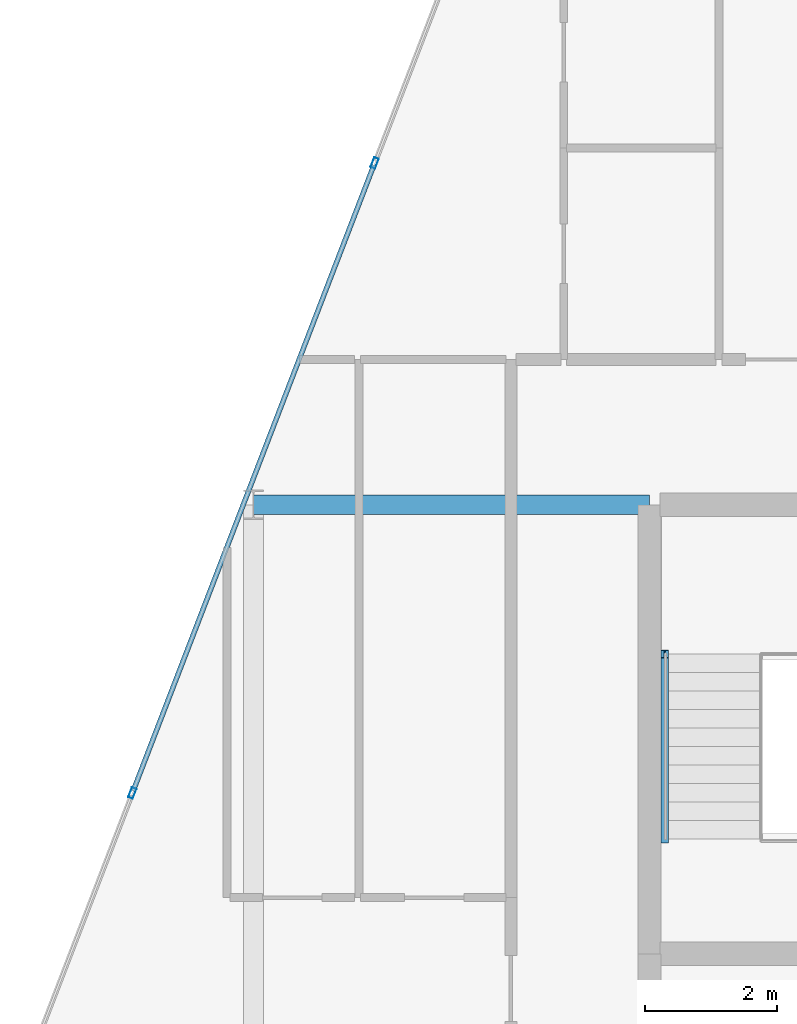
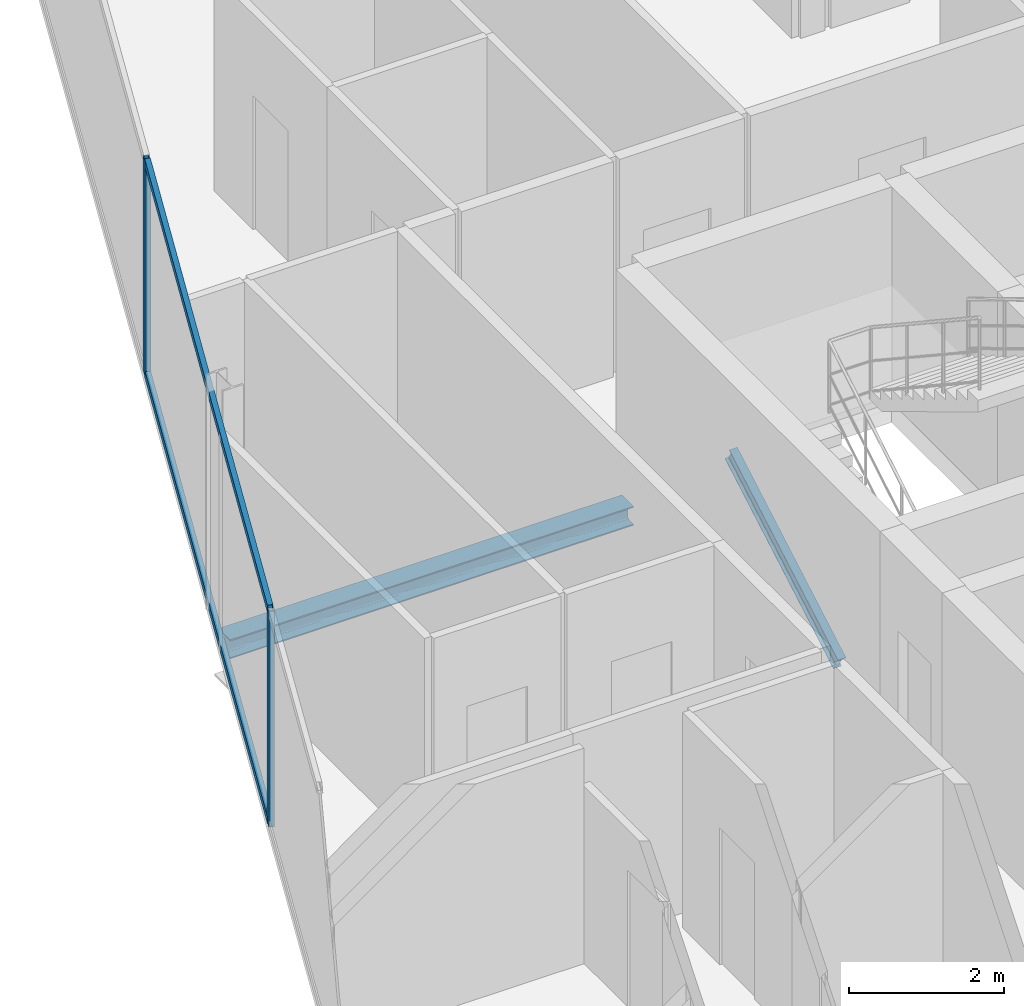
# One storey, part 16 of 29: 5 members, 1 beam, 1 element without a shape of its own.
"""IFC4 building model written with IfcOpenShell, lengths in metres."""

from ifc_helpers import new_model, si_unit, direction, frame, origin, origin_2d, place, context, subcontext, project, spatial, hollow_rectangle, i_section, extrude, material, layer, layer_set, material_profile, profile_set, type_object, element, aggregate, save


model = new_model("IFC4")

# Units and contexts
model_context = context("Model", 3, precision=1e-05, world=origin(), true_north=direction((0.0, 1.0)))
body_context = subcontext(model_context, "Body", "Model", "MODEL_VIEW")
ifc_project = project(units=[si_unit("LENGTHUNIT", "METRE"), si_unit("AREAUNIT", "SQUARE_METRE"), si_unit("VOLUMEUNIT", "CUBIC_METRE"), si_unit("PLANEANGLEUNIT", "RADIAN"), si_unit("MASSUNIT", "GRAM", prefix="KILO")], contexts=[model_context])

# Site, building, storey
site_placement = place(None, origin())
site = spatial("IfcSite", under=ifc_project, at=site_placement, CompositionType="ELEMENT")
building_placement = place(site_placement, origin())
building = spatial("IfcBuilding", under=site, at=building_placement, Name="Keshet Zoharim Tower", CompositionType="ELEMENT")
storey_placement = place(building_placement, frame((0.0, 0.0, 222.800048828125)))
storey = spatial("IfcBuildingStorey", under=building, at=storey_placement, Name="L55", CompositionType="ELEMENT", Elevation=222.800048828125)

# Beam
ifc_material_1 = material(Name="Steel S355", Category="steel")
ifc_material_profile_1 = material_profile(ifc_material_1, i_section(OverallWidth=0.300048828125, OverallDepth=0.300048828125, WebThickness=0.010986328125, FlangeThickness=0.01904296875, FilletRadius=0.027099609375, at=origin_2d()), Name="HEB300")
ifc_profile_set_1 = profile_set([ifc_material_profile_1], Name="Steel S355")
beam_type = type_object("IfcBeamType", Name="BM-PRI-HB300", PredefinedType="BEAM", material=ifc_profile_set_1)
beam_placement = place(storey_placement, frame((9.0, 37.89990234375, -0.4599609375), z_axis=(1.0, 0.0, 0.0), x_axis=(0.0, 1.0, 0.0)))
element("IfcBeam", 1, at=beam_placement, inside=storey, type_object=beam_type, Name="L55 Primary Girder X-017", PredefinedType="BEAM", context=body_context, shape_type="SweptSolid", body=[
    extrude(i_section(OverallWidth=0.300048828125, OverallDepth=0.300048828125, WebThickness=0.010986328125, FlangeThickness=0.01904296875, FilletRadius=0.027099609375, at=origin_2d()), origin(), (0.0, 0.0, 1.0), 6.0),
])

# Curtain wall, members
ifc_material_2 = material(Name="Aluminium 6063-T6", Category="aluminium")
ifc_layer = layer(ifc_material_2, 0.139892578125)
ifc_layer_set = layer_set([ifc_layer], Name="Aluminium 6063-T6")
curtain_wall_type = type_object("IfcCurtainWallType", Name="CW-SYS-05", PredefinedType="NOTDEFINED", material=ifc_layer_set)
curtain_wall_placement = place(storey_placement, origin())
curtain_wall = element("IfcCurtainWall", 2, at=curtain_wall_placement, inside=storey, type_object=curtain_wall_type, Name="L55 Unitised Curtain Wall 13", PredefinedType="NOTDEFINED")
ifc_material_profile_2 = material_profile(ifc_material_2, hollow_rectangle(XDim=0.074951171875, YDim=0.159912109375, WallThickness=0.00390625, at=origin_2d()), Name="MUL-75x160")
ifc_profile_set_2 = profile_set([ifc_material_profile_2], Name="Aluminium 6063-T6")
member_type_1 = type_object("IfcMemberType", Name="CWM-M15", PredefinedType="MULLION", material=ifc_profile_set_2)
member_1_placement = place(storey_placement, frame((7.1669921875, 33.53466796875, 0.0), z_axis=(0.0, 0.0, 1.0), x_axis=(-0.933341404361, 0.358990003907, 0.0)))
member_1 = element("IfcMember", 3, at=member_1_placement, type_object=member_type_1, Name="CW-05 mullion 2", PredefinedType="MULLION", context=body_context, shape_type="SweptSolid", body=[
    extrude(hollow_rectangle(XDim=0.074951171875, YDim=0.159912109375, WallThickness=0.00390625, at=origin_2d()), origin(), (0.0, 0.0, 1.0), 3.389892578125),
])
member_2_placement = place(storey_placement, frame((10.8369140625, 43.076416015625, 0.0), z_axis=(0.0, 0.0, 1.0), x_axis=(-0.933341404361, 0.358990003907, 0.0)))
member_2 = element("IfcMember", 4, at=member_2_placement, type_object=member_type_1, Name="CW-05 mullion 3", PredefinedType="MULLION", context=body_context, shape_type="SweptSolid", body=[
    extrude(hollow_rectangle(XDim=0.074951171875, YDim=0.159912109375, WallThickness=0.00390625, at=origin_2d()), origin(), (0.0, 0.0, 1.0), 3.389892578125),
])
ifc_material_profile_3 = material_profile(ifc_material_2, hollow_rectangle(XDim=0.074951171875, YDim=0.1201171875, WallThickness=0.00390625, at=origin_2d()), Name="TRN-75x120")
ifc_profile_set_3 = profile_set([ifc_material_profile_3], Name="Aluminium 6063-T6")
member_type_2 = type_object("IfcMemberType", Name="CWT-T12", PredefinedType="USERDEFINED", material=ifc_profile_set_3)
member_3_placement = place(storey_placement, frame((7.179443359375, 33.5673828125, 0.034912109375), z_axis=(0.359003248899, 0.933336309848, 0.0), x_axis=(-0.933336309848, 0.359003248899, 0.0)))
member_3 = element("IfcMember", 5, at=member_3_placement, type_object=member_type_2, Name="CW-05 transom 2.1", ObjectType="TRANSOM", PredefinedType="USERDEFINED", context=body_context, shape_type="SweptSolid", body=[
    extrude(hollow_rectangle(XDim=0.074951171875, YDim=0.1201171875, WallThickness=0.00390625, at=origin_2d()), origin(), (0.0, 0.0, 1.0), 10.153076171875),
])
member_4_placement = place(storey_placement, frame((7.179443359375, 33.5673828125, 3.35498046875), z_axis=(0.359003248899, 0.933336309848, 0.0), x_axis=(-0.933336309848, 0.359003248899, 0.0)))
member_4 = element("IfcMember", 6, at=member_4_placement, type_object=member_type_2, Name="CW-05 transom 2.2", ObjectType="TRANSOM", PredefinedType="USERDEFINED", context=body_context, shape_type="SweptSolid", body=[
    extrude(hollow_rectangle(XDim=0.074951171875, YDim=0.1201171875, WallThickness=0.00390625, at=origin_2d()), origin(), (0.0, 0.0, 1.0), 10.153076171875),
])
aggregate(curtain_wall, [member_1, member_2, member_3, member_4])

# Member
ifc_material_profile_4 = material_profile(ifc_material_1, i_section(OverallWidth=0.1201171875, OverallDepth=0.239990234375, WebThickness=0.006103515625, FlangeThickness=0.009765625, FilletRadius=0.014892578125, at=origin_2d()), Name="IPE240")
ifc_profile_set_4 = profile_set([ifc_material_profile_4], Name="Steel S355")
member_type_3 = type_object("IfcMemberType", Name="MB-STRG-IP240", PredefinedType="STRINGER", material=ifc_profile_set_4)
member_5_placement = place(storey_placement, frame((15.22998046875, 32.840087890625, 0.119873046875), z_axis=(0.0, 0.866876903101, 0.498522251129), x_axis=(-1.0, 0.0, 0.0)))
element("IfcMember", 7, at=member_5_placement, inside=storey, type_object=member_type_3, Name="L55 ST-02 Flight Steel Stringer", PredefinedType="STRINGER", context=body_context, shape_type="SweptSolid", body=[
    extrude(i_section(OverallWidth=0.1201171875, OverallDepth=0.239990234375, WebThickness=0.006103515625, FlangeThickness=0.009765625, FilletRadius=0.014892578125, at=origin_2d()), origin(), (0.0, 0.0, 1.0), 3.229736328125),
])

save(model, "model.ifc")
